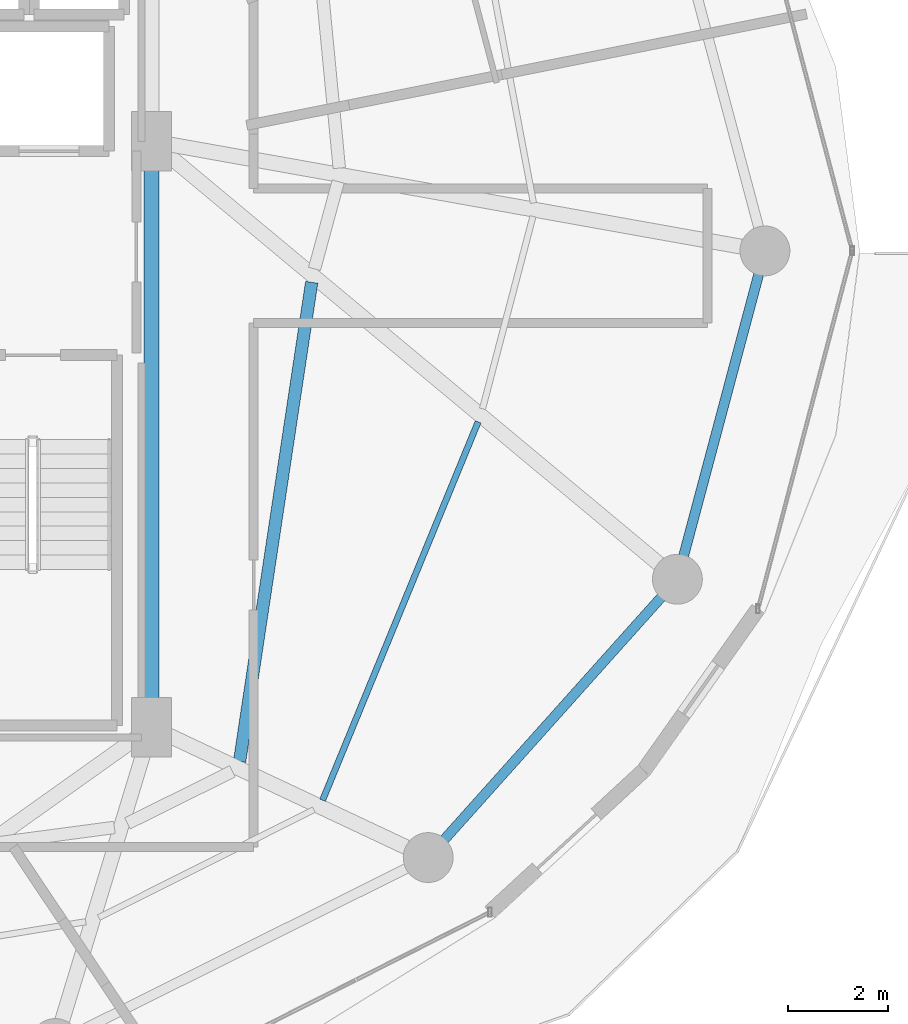
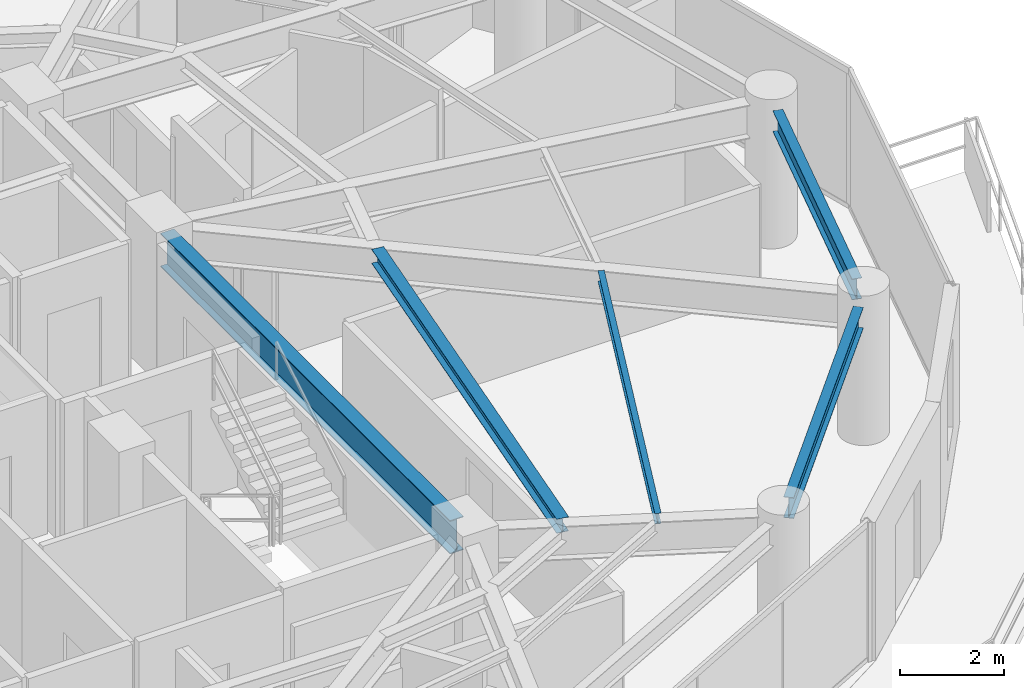
# One storey, part 11 of 29: 5 beams.
"""IFC4 building model written with IfcOpenShell, lengths in metres."""

import ifcopenshell
import ifcopenshell.guid

model = None  # the IFC model being written
_history = None  # IfcOwnerHistory: only IFC2X3 demands one
_inside = {}  # id of a spatial element -> (the spatial element, [elements in it])
_under = {}  # id of a project, library or spatial element -> (it, [spatial elements below it])
_declared = {}  # id of a project -> (the project, [libraries it declares])
_typed = {}  # id of a type object -> (the type object, [elements of that type])
_made_of = {}  # id of a material, layer set ... -> (it, [elements and type objects made of it])


def new_model(schema):
    """Start an empty IFC model of exactly this schema.

    Asked for "IFC4X3", IfcOpenShell would pick the latest addendum, in which some entities
    have other attributes; the version numbers below select the first issue.
    IFC2X3 requires an IfcOwnerHistory on every rooted entity: one is made here for all.
    """
    global model, _history
    if schema == "IFC4X3":
        model = ifcopenshell.file(schema_version=(4, 3, 0, 0))
    else:
        model = ifcopenshell.file(schema=schema)
    _inside.clear()
    _under.clear()
    _declared.clear()
    _typed.clear()
    _made_of.clear()
    _history = None
    if model.schema == "IFC2X3":
        org = make("IfcOrganization", Name="unknown")
        user = make(
            "IfcPersonAndOrganization",
            ThePerson=make("IfcPerson", FamilyName="unknown"),
            TheOrganization=org,
        )
        app = make(
            "IfcApplication",
            ApplicationDeveloper=org,
            Version="unknown",
            ApplicationFullName="unknown",
            ApplicationIdentifier="unknown",
        )
        _history = make(
            "IfcOwnerHistory",
            OwningUser=user,
            OwningApplication=app,
            ChangeAction="ADDED",
            CreationDate=0,
        )
    return model


def make(cls, **values):
    """One entity of the class cls with the attributes given. An attribute that is None is left unset."""
    return model.create_entity(
        cls, **{name: value for name, value in values.items() if value is not None}
    )


def rooted(cls, **values):
    """An entity with a GlobalId (a new one), such as an element, a storey or a relation."""
    return make(cls, GlobalId=ifcopenshell.guid.new(), OwnerHistory=_history, **values)


def si_unit(unit_type, name, prefix=None):
    """IfcSIUnit, for example si_unit("LENGTHUNIT", "METRE", prefix="MILLI")."""
    return make("IfcSIUnit", UnitType=unit_type, Prefix=prefix, Name=name)


def assignment(units):
    """IfcUnitAssignment: the units of a project."""
    return None if units is None else make("IfcUnitAssignment", Units=units)


def point(xyz):
    """IfcCartesianPoint."""
    return None if xyz is None else make("IfcCartesianPoint", Coordinates=xyz)


def direction(xyz):
    """IfcDirection."""
    return None if xyz is None else make("IfcDirection", DirectionRatios=xyz)


def frame(location, z_axis=None, x_axis=None):
    """IfcAxis2Placement3D, a coordinate frame: its origin and axes. An axis left out is left unset."""
    return make(
        "IfcAxis2Placement3D",
        Location=point(location),
        Axis=direction(z_axis),
        RefDirection=direction(x_axis),
    )


def frame_2d(location, x_axis=None):
    """IfcAxis2Placement2D, a coordinate frame in the plane: its origin and x axis."""
    return make(
        "IfcAxis2Placement2D", Location=point(location), RefDirection=direction(x_axis)
    )


def origin():
    """The frame at (0, 0, 0) with its axes left unset."""
    return frame((0.0, 0.0, 0.0))


def origin_2d():
    """The frame at (0, 0) in the plane with its x axis left unset."""
    return frame_2d((0.0, 0.0))


def place(relative_to, where):
    """IfcLocalPlacement: puts the frame where relative to a parent placement (None: the world)."""
    return make(
        "IfcLocalPlacement", PlacementRelTo=relative_to, RelativePlacement=where
    )


def context(
    kind, dimensions, precision=None, world=None, true_north=None, identifier=None
):
    """IfcGeometricRepresentationContext, for example the 3D "Model" context."""
    return make(
        "IfcGeometricRepresentationContext",
        ContextIdentifier=identifier,
        ContextType=kind,
        CoordinateSpaceDimension=dimensions,
        Precision=precision,
        WorldCoordinateSystem=world,
        TrueNorth=true_north,
    )


def subcontext(parent, identifier, kind, view, scale=None):
    """IfcGeometricRepresentationSubContext, for example "Body" below "Model"."""
    return make(
        "IfcGeometricRepresentationSubContext",
        ContextIdentifier=identifier,
        ContextType=kind,
        ParentContext=parent,
        TargetScale=scale,
        TargetView=view,
    )


def project(units=None, contexts=None):
    """IfcProject with its units and contexts."""
    return rooted(
        "IfcProject",
        Name="project",
        RepresentationContexts=contexts,
        UnitsInContext=assignment(units),
    )


def spatial(cls, under=None, at=None, **own):
    """A site, building, storey or space (cls), placed at a placement, below another one or the project."""
    s = rooted(cls, ObjectPlacement=at, **own)
    if under is not None:
        _under.setdefault(under.id(), (under, []))[1].append(s)
    return s


def profile(cls, at=None, kind="AREA", **sizes):
    """A parametric profile (cls). Its sizes go by their IFC names, for example OverallWidth=200.0."""
    return make(cls, ProfileType=kind, Position=at, **sizes)


def i_section(**sizes):
    """IfcIShapeProfileDef."""
    return profile("IfcIShapeProfileDef", **sizes)


def extrude(swept, where, along, depth):
    """IfcExtrudedAreaSolid: the profile swept, set in the frame where, extruded along a direction by depth."""
    return make(
        "IfcExtrudedAreaSolid",
        SweptArea=swept,
        Position=where,
        ExtrudedDirection=direction(along),
        Depth=depth,
    )


def shape(context_of_items, identifier, shape_type, items):
    """IfcShapeRepresentation: the items that make up one representation, for example the "Body"."""
    return make(
        "IfcShapeRepresentation",
        ContextOfItems=context_of_items,
        RepresentationIdentifier=identifier,
        RepresentationType=shape_type,
        Items=items,
    )


def material(Name=None, Category=None):
    """IfcMaterial."""
    return make("IfcMaterial", Name=Name, Category=Category)


def material_profile(
    of_material, cross_section, Name=None, Category=None, Priority=None
):
    """IfcMaterialProfile: a cross section and its material."""
    return make(
        "IfcMaterialProfile",
        Name=Name,
        Material=of_material,
        Profile=cross_section,
        Priority=Priority,
        Category=Category,
    )


def profile_set(profiles, Name=None, composite=None):
    """IfcMaterialProfileSet."""
    return make(
        "IfcMaterialProfileSet",
        Name=Name,
        MaterialProfiles=profiles,
        CompositeProfile=composite,
    )


def made_of(thing, what):
    """Note that an element or type object is made of a material, layer set ...; save() writes the relation."""
    if what is not None:
        _made_of.setdefault(what.id(), (what, []))[1].append(thing)
    return thing


def type_object(cls, material=None, **own):
    """A type object (cls), such as IfcWallType, which elements share."""
    return made_of(rooted(cls, **own), material)


def element(
    cls,
    number,
    at=None,
    inside=None,
    cuts=None,
    type_object=None,
    material=None,
    context=None,
    identifier="Body",
    shape_type=None,
    held_by="IfcProductDefinitionShape",
    body=None,
    shapes=None,
    **own,
):
    """One element of the class cls, such as IfcWall. Its Tag is "e" and its number.

    at: its placement. inside: the storey or other place that contains it. cuts: it is an
    opening in that element (IfcRelVoidsElement). A single representation is given by context,
    identifier, shape_type and body (its items); several are given by shapes. held_by: the class
    of the entity that holds the representations. save() writes the other relations.
    """
    e = rooted(cls, Tag="e%d" % number, ObjectPlacement=at, **own)
    if body is not None:
        shapes = [shape(context, identifier, shape_type, body)]
    if shapes is not None:
        e.Representation = make(held_by, Representations=shapes)
    if inside is not None:
        _inside.setdefault(inside.id(), (inside, []))[1].append(e)
    if cuts is not None:
        rooted(
            "IfcRelVoidsElement", RelatingBuildingElement=cuts, RelatedOpeningElement=e
        )
    if type_object is not None:
        _typed.setdefault(type_object.id(), (type_object, []))[1].append(e)
    return made_of(e, material)


def aggregate(whole, parts):
    """IfcRelAggregates: a whole, such as a stair, and the parts it consists of."""
    return rooted("IfcRelAggregates", RelatingObject=whole, RelatedObjects=parts)


def save(model, path):
    """Write the relations noted so far, then the file.

    IfcRelAggregates (storeys below a building ...), IfcRelContainedInSpatialStructure (elements
    in a storey), IfcRelDefinesByType, IfcRelAssociatesMaterial and IfcRelDeclares: one each for
    every whole, place, type object, material and project.
    """
    for whole, parts in _under.values():
        aggregate(whole, parts)
    for where, things in _inside.values():
        rooted(
            "IfcRelContainedInSpatialStructure",
            RelatedElements=things,
            RelatingStructure=where,
        )
    for kind, things in _typed.values():
        rooted("IfcRelDefinesByType", RelatedObjects=things, RelatingType=kind)
    for what, things in _made_of.values():
        rooted("IfcRelAssociatesMaterial", RelatedObjects=things, RelatingMaterial=what)
    for by, libraries in _declared.values():
        rooted("IfcRelDeclares", RelatingContext=by, RelatedDefinitions=libraries)
    model.write(path)


model = new_model("IFC4")

# Units and contexts
model_context = context("Model", 3, precision=1e-05, world=origin(), true_north=direction((0.0, 1.0)))
body_context = subcontext(model_context, "Body", "Model", "MODEL_VIEW")
ifc_project = project(units=[si_unit("LENGTHUNIT", "METRE"), si_unit("AREAUNIT", "SQUARE_METRE"), si_unit("VOLUMEUNIT", "CUBIC_METRE"), si_unit("PLANEANGLEUNIT", "RADIAN"), si_unit("MASSUNIT", "GRAM", prefix="KILO")], contexts=[model_context])

# Site, building, storey
site_placement = place(None, origin())
site = spatial("IfcSite", under=ifc_project, at=site_placement, CompositionType="ELEMENT")
building_placement = place(site_placement, origin())
building = spatial("IfcBuilding", under=site, at=building_placement, Name="Vorneva Point Tower", CompositionType="ELEMENT")
storey_placement = place(building_placement, frame((0.0, 0.0, 150.10009765625)))
storey = spatial("IfcBuildingStorey", under=building, at=storey_placement, Name="L40", CompositionType="ELEMENT", Elevation=150.10009765625)

# Beams
ifc_material = material(Name="Steel S355", Category="steel")
ifc_material_profile_1 = material_profile(ifc_material, i_section(OverallWidth=0.300048828125, OverallDepth=0.7880859375, WebThickness=0.014404296875, FlangeThickness=0.02197265625, at=origin_2d()), Name="80Sh1")
ifc_profile_set_1 = profile_set([ifc_material_profile_1], Name="Steel S355")
beam_type_1 = type_object("IfcBeamType", Name="BM-GRD-80Sh1", PredefinedType="USERDEFINED", material=ifc_profile_set_1)
beam_1_placement = place(storey_placement, frame((48.75, 16.77001953125, 2.845947265625), z_axis=(0.0, 1.0, 0.0), x_axis=(-1.0, 0.0, 0.0)))
element("IfcBeam", 1, at=beam_1_placement, inside=storey, type_object=beam_type_1, Name="L40 Core Tie Girder CT3", ObjectType="GIRDER", PredefinedType="USERDEFINED", context=body_context, shape_type="SweptSolid", body=[
    extrude(i_section(OverallWidth=0.300048828125, OverallDepth=0.7880859375, WebThickness=0.014404296875, FlangeThickness=0.02197265625, at=origin_2d()), origin(), (0.0, 0.0, 1.0), 11.10986328125),
])
ifc_material_profile_2 = material_profile(ifc_material, i_section(OverallWidth=0.1240234375, OverallDepth=0.248046875, WebThickness=0.0048828125, FlangeThickness=0.008056640625, at=origin_2d()), Name="25B1")
ifc_profile_set_2 = profile_set([ifc_material_profile_2], Name="Steel S355")
beam_type_2 = type_object("IfcBeamType", Name="BM-JST-25B1", PredefinedType="JOIST", material=ifc_profile_set_2)
beam_2_placement = place(storey_placement, frame((52.181884765625, 14.98681640625, 3.115966796875), z_axis=(0.380236271938, 0.924889386631, 0.0), x_axis=(-0.924889386631, 0.380236271938, 0.0)))
element("IfcBeam", 2, at=beam_2_placement, inside=storey, type_object=beam_type_2, Name="L40 Secondary Floor Beam 1.15", PredefinedType="JOIST", context=body_context, shape_type="SweptSolid", body=[
    extrude(i_section(OverallWidth=0.1240234375, OverallDepth=0.248046875, WebThickness=0.0048828125, FlangeThickness=0.008056640625, at=origin_2d()), origin(), (0.0, 0.0, 1.0), 8.20263671875),
])
ifc_material_profile_3 = material_profile(ifc_material, i_section(OverallWidth=0.2490234375, OverallDepth=0.333984375, WebThickness=0.008056640625, FlangeThickness=0.010986328125, at=origin_2d()), Name="35Sh1")
ifc_profile_set_3 = profile_set([ifc_material_profile_3], Name="Steel S355")
beam_type_3 = type_object("IfcBeamType", Name="BM-SEC-35Sh1", PredefinedType="BEAM", material=ifc_profile_set_3)
beam_3_placement = place(storey_placement, frame((50.51806640625, 15.763916015625, 3.072998046875), z_axis=(0.148781631303, 0.988870075484, 0.0), x_axis=(-0.988870075484, 0.148781631303, 0.0)))
element("IfcBeam", 3, at=beam_3_placement, inside=storey, type_object=beam_type_3, Name="L40 Secondary Floor Beam 2.15", PredefinedType="BEAM", context=body_context, shape_type="SweptSolid", body=[
    extrude(i_section(OverallWidth=0.2490234375, OverallDepth=0.333984375, WebThickness=0.008056640625, FlangeThickness=0.010986328125, at=origin_2d()), origin(), (0.0, 0.0, 1.0), 9.71435546875),
])
ifc_material_profile_4 = material_profile(ifc_material, i_section(OverallWidth=0.199951171875, OverallDepth=0.491943359375, WebThickness=0.0087890625, FlangeThickness=0.011962890625, at=origin_2d()), Name="50B1")
ifc_profile_set_4 = profile_set([ifc_material_profile_4], Name="Steel S355")
beam_type_4 = type_object("IfcBeamType", Name="BM-SPN-50B1", PredefinedType="SPANDREL", material=ifc_profile_set_4)
beam_4_placement = place(storey_placement, frame((54.622314453125, 14.19921875, 2.993896484375), z_axis=(0.667111118975, 0.74495822362, 0.0), x_axis=(-0.74495822362, 0.667111118975, 0.0)))
element("IfcBeam", 4, at=beam_4_placement, inside=storey, type_object=beam_type_4, Name="L40 Perimeter Spandrel Ring Beam 15", PredefinedType="SPANDREL", context=body_context, shape_type="SweptSolid", body=[
    extrude(i_section(OverallWidth=0.199951171875, OverallDepth=0.491943359375, WebThickness=0.0087890625, FlangeThickness=0.011962890625, at=origin_2d()), origin(), (0.0, 0.0, 1.0), 6.52001953125),
])
beam_5_placement = place(storey_placement, frame((59.42041015625, 19.886474609375, 2.993896484375), z_axis=(0.257550804648, 0.966264758245, 0.0), x_axis=(-0.966264758245, 0.257550804648, 0.0)))
element("IfcBeam", 5, at=beam_5_placement, inside=storey, type_object=beam_type_4, Name="L40 Perimeter Spandrel Ring Beam 16", PredefinedType="SPANDREL", context=body_context, shape_type="SweptSolid", body=[
    extrude(i_section(OverallWidth=0.199951171875, OverallDepth=0.491943359375, WebThickness=0.0087890625, FlangeThickness=0.011962890625, at=origin_2d()), origin(), (0.0, 0.0, 1.0), 5.842041015625),
])

save(model, "model.ifc")
